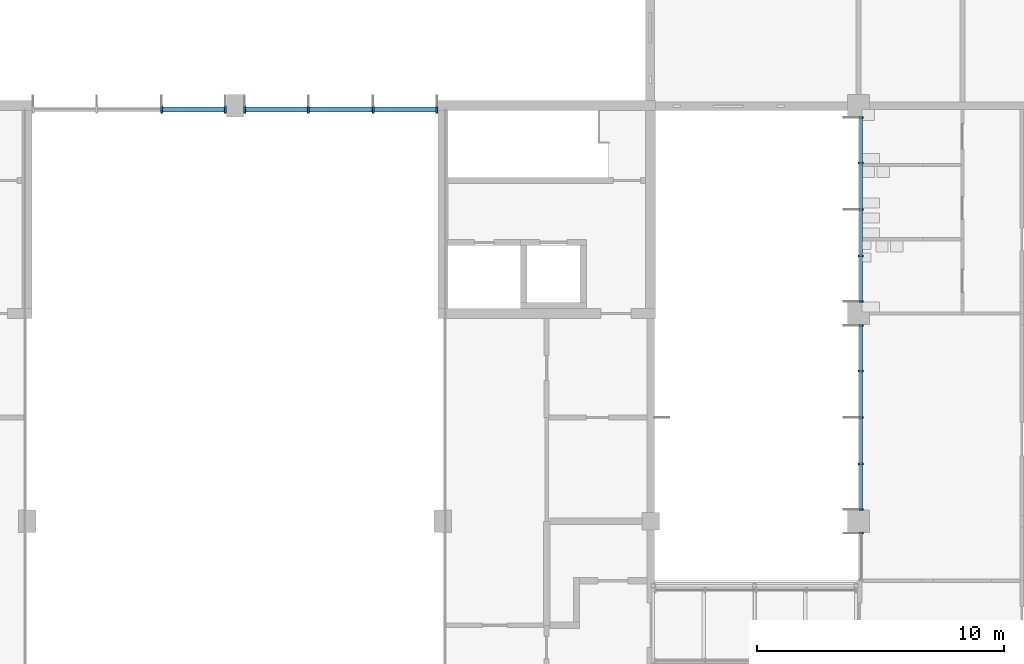
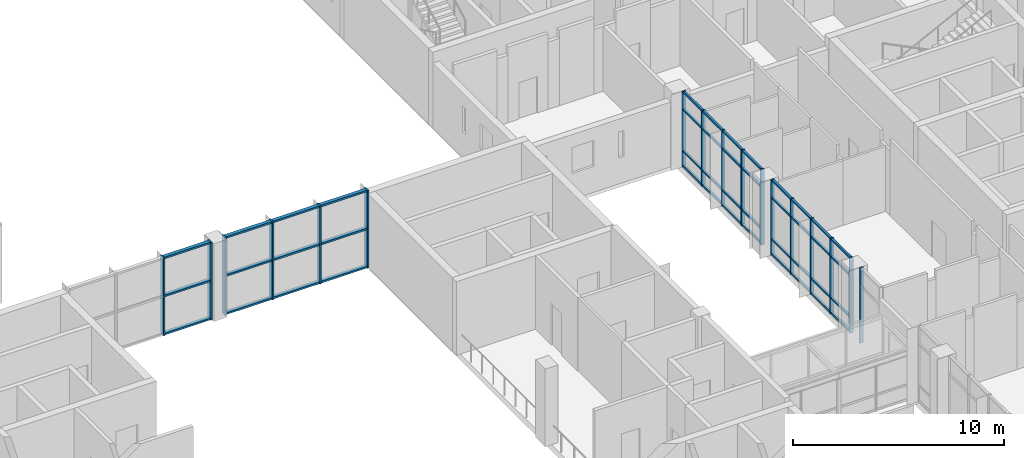
# One storey, part 19 of 70: 61 members, 5 elements without a shape of their own.
"""IFC4 building model written with IfcOpenShell, lengths in metres."""

from ifc_helpers import new_model, si_unit, direction, frame, origin, origin_2d, place, context, subcontext, project, spatial, rectangle, extrude, material, material_profile, profile_set, type_object, element, aggregate, save


model = new_model("IFC4")

# Units and contexts
model_context = context("Model", 3, precision=1e-05, world=origin(), true_north=direction((0.0, 1.0)))
body_context = subcontext(model_context, "Body", "Model", "MODEL_VIEW")
ifc_project = project(units=[si_unit("LENGTHUNIT", "METRE"), si_unit("AREAUNIT", "SQUARE_METRE"), si_unit("VOLUMEUNIT", "CUBIC_METRE"), si_unit("PLANEANGLEUNIT", "RADIAN"), si_unit("MASSUNIT", "GRAM", prefix="KILO")], contexts=[model_context])

# Site, building, storey
site_placement = place(None, origin())
site = spatial("IfcSite", under=ifc_project, at=site_placement, CompositionType="ELEMENT")
building_placement = place(site_placement, origin())
building = spatial("IfcBuilding", under=site, at=building_placement, Name="Hlaing Beacon Police Headquarters", CompositionType="ELEMENT")
storey_placement = place(building_placement, frame((0.0, 0.0, 5.39990234375)))
storey = spatial("IfcBuildingStorey", under=building, at=storey_placement, Name="L01", CompositionType="ELEMENT", Elevation=5.39990234375)

# Curtain wall, members
ifc_material_1 = material(Name="Aluminium frame with solar control glazing", Category="aluminium")
curtain_wall_type_1 = type_object("IfcCurtainWallType", Name="Unitised curtain wall 7.50 x 4.37", PredefinedType="NOTDEFINED", material=ifc_material_1)
curtain_wall_1_placement = place(storey_placement, origin())
curtain_wall_1 = element("IfcCurtainWall", 1, at=curtain_wall_1_placement, inside=storey, type_object=curtain_wall_type_1, Name="ENV-CW-L01-W023", PredefinedType="NOTDEFINED")
ifc_material_2 = material(Name="Aluminium", Category="aluminium")
ifc_material_profile_1 = material_profile(ifc_material_2, rectangle(XDim=0.199951171875, YDim=0.06005859375, at=origin_2d()), Name="Mullion 60x200")
ifc_profile_set_1 = profile_set([ifc_material_profile_1], Name="Aluminium")
member_type_1 = type_object("IfcMemberType", Name="Mullion 60x200", PredefinedType="MULLION", material=ifc_profile_set_1)
member_1_placement = place(storey_placement, frame((100.89990234375, 66.719970703125, 0.0), z_axis=(0.0, 0.0, 1.0), x_axis=(1.0, 0.0, 0.0)))
member_1 = element("IfcMember", 2, at=member_1_placement, type_object=member_type_1, Name="CW-L01-W023 mullion 1", PredefinedType="MULLION", context=body_context, shape_type="SweptSolid", body=[
    extrude(rectangle(XDim=0.199951171875, YDim=0.06005859375, at=origin_2d()), origin(), (0.0, 0.0, 1.0), 4.3701171875),
])
member_2_placement = place(storey_placement, frame((100.89990234375, 64.875, 0.0), z_axis=(0.0, 0.0, 1.0), x_axis=(1.0, 0.0, 0.0)))
member_2 = element("IfcMember", 3, at=member_2_placement, type_object=member_type_1, Name="CW-L01-W023 mullion 2", PredefinedType="MULLION", context=body_context, shape_type="SweptSolid", body=[
    extrude(rectangle(XDim=0.199951171875, YDim=0.06005859375, at=origin_2d()), origin(), (0.0, 0.0, 1.0), 4.3701171875),
])
member_3_placement = place(storey_placement, frame((100.89990234375, 63.0, 0.0), z_axis=(0.0, 0.0, 1.0), x_axis=(1.0, 0.0, 0.0)))
member_3 = element("IfcMember", 4, at=member_3_placement, type_object=member_type_1, Name="CW-L01-W023 mullion 3", PredefinedType="MULLION", context=body_context, shape_type="SweptSolid", body=[
    extrude(rectangle(XDim=0.199951171875, YDim=0.06005859375, at=origin_2d()), origin(), (0.0, 0.0, 1.0), 4.3701171875),
])
member_4_placement = place(storey_placement, frame((100.89990234375, 61.125, 0.0), z_axis=(0.0, 0.0, 1.0), x_axis=(1.0, 0.0, 0.0)))
member_4 = element("IfcMember", 5, at=member_4_placement, type_object=member_type_1, Name="CW-L01-W023 mullion 4", PredefinedType="MULLION", context=body_context, shape_type="SweptSolid", body=[
    extrude(rectangle(XDim=0.199951171875, YDim=0.06005859375, at=origin_2d()), origin(), (0.0, 0.0, 1.0), 4.3701171875),
])
member_5_placement = place(storey_placement, frame((100.89990234375, 59.280029296875, 0.0), z_axis=(0.0, 0.0, 1.0), x_axis=(1.0, 0.0, 0.0)))
member_5 = element("IfcMember", 6, at=member_5_placement, type_object=member_type_1, Name="CW-L01-W023 mullion 5", PredefinedType="MULLION", context=body_context, shape_type="SweptSolid", body=[
    extrude(rectangle(XDim=0.199951171875, YDim=0.06005859375, at=origin_2d()), origin(), (0.0, 0.0, 1.0), 4.3701171875),
])

curtain_wall_2_placement = place(storey_placement, origin())
curtain_wall_2 = element("IfcCurtainWall", 7, at=curtain_wall_2_placement, inside=storey, type_object=curtain_wall_type_1, Name="ENV-CW-L01-W024", PredefinedType="NOTDEFINED")
member_6_placement = place(storey_placement, frame((100.89990234375, 58.320068359375, 0.0), z_axis=(0.0, 0.0, 1.0), x_axis=(1.0, 0.0, 0.0)))
member_6 = element("IfcMember", 8, at=member_6_placement, type_object=member_type_1, Name="CW-L01-W024 mullion 1", PredefinedType="MULLION", context=body_context, shape_type="SweptSolid", body=[
    extrude(rectangle(XDim=0.199951171875, YDim=0.06005859375, at=origin_2d()), origin(), (0.0, 0.0, 1.0), 4.3701171875),
])
member_7_placement = place(storey_placement, frame((100.89990234375, 56.47509765625, 0.0), z_axis=(0.0, 0.0, 1.0), x_axis=(1.0, 0.0, 0.0)))
member_7 = element("IfcMember", 9, at=member_7_placement, type_object=member_type_1, Name="CW-L01-W024 mullion 2", PredefinedType="MULLION", context=body_context, shape_type="SweptSolid", body=[
    extrude(rectangle(XDim=0.199951171875, YDim=0.06005859375, at=origin_2d()), origin(), (0.0, 0.0, 1.0), 4.3701171875),
])
member_8_placement = place(storey_placement, frame((100.89990234375, 54.60009765625, 0.0), z_axis=(0.0, 0.0, 1.0), x_axis=(1.0, 0.0, 0.0)))
member_8 = element("IfcMember", 10, at=member_8_placement, type_object=member_type_1, Name="CW-L01-W024 mullion 3", PredefinedType="MULLION", context=body_context, shape_type="SweptSolid", body=[
    extrude(rectangle(XDim=0.199951171875, YDim=0.06005859375, at=origin_2d()), origin(), (0.0, 0.0, 1.0), 4.3701171875),
])
member_9_placement = place(storey_placement, frame((100.89990234375, 52.72509765625, 0.0), z_axis=(0.0, 0.0, 1.0), x_axis=(1.0, 0.0, 0.0)))
member_9 = element("IfcMember", 11, at=member_9_placement, type_object=member_type_1, Name="CW-L01-W024 mullion 4", PredefinedType="MULLION", context=body_context, shape_type="SweptSolid", body=[
    extrude(rectangle(XDim=0.199951171875, YDim=0.06005859375, at=origin_2d()), origin(), (0.0, 0.0, 1.0), 4.3701171875),
])
member_10_placement = place(storey_placement, frame((100.89990234375, 50.8798828125, 0.0), z_axis=(0.0, 0.0, 1.0), x_axis=(1.0, 0.0, 0.0)))
member_10 = element("IfcMember", 12, at=member_10_placement, type_object=member_type_1, Name="CW-L01-W024 mullion 5", PredefinedType="MULLION", context=body_context, shape_type="SweptSolid", body=[
    extrude(rectangle(XDim=0.199951171875, YDim=0.06005859375, at=origin_2d()), origin(), (0.0, 0.0, 1.0), 4.3701171875),
])

# Curtain wall, member
ifc_material_3 = material(Name="Aluminium frame with solar control glazing", Category="aluminium")
curtain_wall_type_2 = type_object("IfcCurtainWallType", Name="Unitised curtain wall 1.95 x 4.37", PredefinedType="NOTDEFINED", material=ifc_material_3)
curtain_wall_3_placement = place(storey_placement, origin())
curtain_wall_3 = element("IfcCurtainWall", 13, at=curtain_wall_3_placement, inside=storey, type_object=curtain_wall_type_2, Name="ENV-CW-L01-W025", PredefinedType="NOTDEFINED")
member_11_placement = place(storey_placement, frame((100.89990234375, 49.919921875, 0.0), z_axis=(0.0, 0.0, 1.0), x_axis=(1.0, 0.0, 0.0)))
member_11 = element("IfcMember", 14, at=member_11_placement, type_object=member_type_1, Name="CW-L01-W025 mullion 1", PredefinedType="MULLION", context=body_context, shape_type="SweptSolid", body=[
    extrude(rectangle(XDim=0.199951171875, YDim=0.06005859375, at=origin_2d()), origin(), (0.0, 0.0, 1.0), 4.3701171875),
])
aggregate(curtain_wall_3, [member_11])

# Curtain wall, members
ifc_material_4 = material(Name="Aluminium frame with solar control glazing", Category="aluminium")
curtain_wall_type_3 = type_object("IfcCurtainWallType", Name="Structural glazed gable wall 7.85 x 4.50", PredefinedType="NOTDEFINED", material=ifc_material_4)
curtain_wall_4_placement = place(storey_placement, origin())
curtain_wall_4 = element("IfcCurtainWall", 15, at=curtain_wall_4_placement, inside=storey, type_object=curtain_wall_type_3, Name="ENV-CW-L01-N007", PredefinedType="NOTDEFINED")
ifc_material_5 = material(Name="Aluminium", Category="aluminium")
ifc_material_profile_2 = material_profile(ifc_material_5, rectangle(XDim=0.300048828125, YDim=0.080078125, at=origin_2d()), Name="Mullion 80x300")
ifc_profile_set_2 = profile_set([ifc_material_profile_2], Name="Aluminium")
member_type_2 = type_object("IfcMemberType", Name="Mullion 80x300", PredefinedType="MULLION", material=ifc_profile_set_2)
member_12_placement = place(storey_placement, frame((83.760009765625, 67.050048828125, 0.0), z_axis=(0.0, 0.0, 1.0), x_axis=(0.0, -1.0, 0.0)))
member_12 = element("IfcMember", 16, at=member_12_placement, type_object=member_type_2, Name="CW-L01-N007 mullion 1", PredefinedType="MULLION", context=body_context, shape_type="SweptSolid", body=[
    extrude(rectangle(XDim=0.300048828125, YDim=0.080078125, at=origin_2d()), origin(), (0.0, 0.0, 1.0), 4.5),
])
member_13_placement = place(storey_placement, frame((81.183349609375, 67.050048828125, 0.0), z_axis=(0.0, 0.0, 1.0), x_axis=(0.0, -1.0, 0.0)))
member_13 = element("IfcMember", 17, at=member_13_placement, type_object=member_type_2, Name="CW-L01-N007 mullion 2", PredefinedType="MULLION", context=body_context, shape_type="SweptSolid", body=[
    extrude(rectangle(XDim=0.300048828125, YDim=0.080078125, at=origin_2d()), origin(), (0.0, 0.0, 1.0), 4.5),
])
member_14_placement = place(storey_placement, frame((78.566650390625, 67.050048828125, 0.0), z_axis=(0.0, 0.0, 1.0), x_axis=(0.0, -1.0, 0.0)))
member_14 = element("IfcMember", 18, at=member_14_placement, type_object=member_type_2, Name="CW-L01-N007 mullion 3", PredefinedType="MULLION", context=body_context, shape_type="SweptSolid", body=[
    extrude(rectangle(XDim=0.300048828125, YDim=0.080078125, at=origin_2d()), origin(), (0.0, 0.0, 1.0), 4.5),
])
member_15_placement = place(storey_placement, frame((75.989990234375, 67.050048828125, 0.0), z_axis=(0.0, 0.0, 1.0), x_axis=(0.0, -1.0, 0.0)))
member_15 = element("IfcMember", 19, at=member_15_placement, type_object=member_type_2, Name="CW-L01-N007 mullion 4", PredefinedType="MULLION", context=body_context, shape_type="SweptSolid", body=[
    extrude(rectangle(XDim=0.300048828125, YDim=0.080078125, at=origin_2d()), origin(), (0.0, 0.0, 1.0), 4.5),
])

curtain_wall_5_placement = place(storey_placement, origin())
curtain_wall_5 = element("IfcCurtainWall", 20, at=curtain_wall_5_placement, inside=storey, type_object=curtain_wall_type_3, Name="ENV-CW-L01-N008", PredefinedType="NOTDEFINED")
member_16_placement = place(storey_placement, frame((75.2099609375, 67.050048828125, 0.0), z_axis=(0.0, 0.0, 1.0), x_axis=(0.0, -1.0, 0.0)))
member_16 = element("IfcMember", 21, at=member_16_placement, type_object=member_type_2, Name="CW-L01-N008 mullion 1", PredefinedType="MULLION", context=body_context, shape_type="SweptSolid", body=[
    extrude(rectangle(XDim=0.300048828125, YDim=0.080078125, at=origin_2d()), origin(), (0.0, 0.0, 1.0), 4.5),
])
member_17_placement = place(storey_placement, frame((72.63330078125, 67.050048828125, 0.0), z_axis=(0.0, 0.0, 1.0), x_axis=(0.0, -1.0, 0.0)))
member_17 = element("IfcMember", 22, at=member_17_placement, type_object=member_type_2, Name="CW-L01-N008 mullion 2", PredefinedType="MULLION", context=body_context, shape_type="SweptSolid", body=[
    extrude(rectangle(XDim=0.300048828125, YDim=0.080078125, at=origin_2d()), origin(), (0.0, 0.0, 1.0), 4.5),
])

# Member
ifc_material_6 = material(Name="Aluminium", Category="aluminium")
ifc_material_profile_3 = material_profile(ifc_material_6, rectangle(XDim=0.1201171875, YDim=0.10009765625, at=origin_2d()), Name="Transom 120x100")
ifc_profile_set_3 = profile_set([ifc_material_profile_3], Name="Aluminium")
member_type_3 = type_object("IfcMemberType", Name="Transom 120x100", PredefinedType="USERDEFINED", material=ifc_profile_set_3)
member_18_placement = place(storey_placement, frame((100.89990234375, 66.68994140625, 0.050048828125), z_axis=(0.0, -1.0, 0.0), x_axis=(1.0, 0.0, 0.0)))
member_18 = element("IfcMember", 23, at=member_18_placement, type_object=member_type_3, Name="CW-L01-W023 transom 1.1", ObjectType="TRANSOM", PredefinedType="USERDEFINED", context=body_context, shape_type="SweptSolid", body=[
    extrude(rectangle(XDim=0.1201171875, YDim=0.10009765625, at=origin_2d()), origin(), (0.0, 0.0, 1.0), 1.784912109375),
])

member_19_placement = place(storey_placement, frame((100.89990234375, 66.68994140625, 0.900146484375), z_axis=(0.0, -1.0, 0.0), x_axis=(1.0, 0.0, 0.0)))
member_19 = element("IfcMember", 24, at=member_19_placement, type_object=member_type_3, Name="CW-L01-W023 transom 1.2", ObjectType="TRANSOM", PredefinedType="USERDEFINED", context=body_context, shape_type="SweptSolid", body=[
    extrude(rectangle(XDim=0.1201171875, YDim=0.10009765625, at=origin_2d()), origin(), (0.0, 0.0, 1.0), 1.784912109375),
])

member_20_placement = place(storey_placement, frame((100.89990234375, 66.68994140625, 3.300048828125), z_axis=(0.0, -1.0, 0.0), x_axis=(1.0, 0.0, 0.0)))
member_20 = element("IfcMember", 25, at=member_20_placement, type_object=member_type_3, Name="CW-L01-W023 transom 1.3", ObjectType="TRANSOM", PredefinedType="USERDEFINED", context=body_context, shape_type="SweptSolid", body=[
    extrude(rectangle(XDim=0.1201171875, YDim=0.10009765625, at=origin_2d()), origin(), (0.0, 0.0, 1.0), 1.784912109375),
])

member_21_placement = place(storey_placement, frame((100.89990234375, 66.68994140625, 4.320068359375), z_axis=(0.0, -1.0, 0.0), x_axis=(1.0, 0.0, 0.0)))
member_21 = element("IfcMember", 26, at=member_21_placement, type_object=member_type_3, Name="CW-L01-W023 transom 1.4", ObjectType="TRANSOM", PredefinedType="USERDEFINED", context=body_context, shape_type="SweptSolid", body=[
    extrude(rectangle(XDim=0.1201171875, YDim=0.10009765625, at=origin_2d()), origin(), (0.0, 0.0, 1.0), 1.784912109375),
])

member_22_placement = place(storey_placement, frame((100.89990234375, 64.844970703125, 0.050048828125), z_axis=(0.0, -1.0, 0.0), x_axis=(1.0, 0.0, 0.0)))
member_22 = element("IfcMember", 27, at=member_22_placement, type_object=member_type_3, Name="CW-L01-W023 transom 2.1", ObjectType="TRANSOM", PredefinedType="USERDEFINED", context=body_context, shape_type="SweptSolid", body=[
    extrude(rectangle(XDim=0.1201171875, YDim=0.10009765625, at=origin_2d()), origin(), (0.0, 0.0, 1.0), 1.81494140625),
])

member_23_placement = place(storey_placement, frame((100.89990234375, 64.844970703125, 0.900146484375), z_axis=(0.0, -1.0, 0.0), x_axis=(1.0, 0.0, 0.0)))
member_23 = element("IfcMember", 28, at=member_23_placement, type_object=member_type_3, Name="CW-L01-W023 transom 2.2", ObjectType="TRANSOM", PredefinedType="USERDEFINED", context=body_context, shape_type="SweptSolid", body=[
    extrude(rectangle(XDim=0.1201171875, YDim=0.10009765625, at=origin_2d()), origin(), (0.0, 0.0, 1.0), 1.81494140625),
])

member_24_placement = place(storey_placement, frame((100.89990234375, 64.844970703125, 3.300048828125), z_axis=(0.0, -1.0, 0.0), x_axis=(1.0, 0.0, 0.0)))
member_24 = element("IfcMember", 29, at=member_24_placement, type_object=member_type_3, Name="CW-L01-W023 transom 2.3", ObjectType="TRANSOM", PredefinedType="USERDEFINED", context=body_context, shape_type="SweptSolid", body=[
    extrude(rectangle(XDim=0.1201171875, YDim=0.10009765625, at=origin_2d()), origin(), (0.0, 0.0, 1.0), 1.81494140625),
])

member_25_placement = place(storey_placement, frame((100.89990234375, 64.844970703125, 4.320068359375), z_axis=(0.0, -1.0, 0.0), x_axis=(1.0, 0.0, 0.0)))
member_25 = element("IfcMember", 30, at=member_25_placement, type_object=member_type_3, Name="CW-L01-W023 transom 2.4", ObjectType="TRANSOM", PredefinedType="USERDEFINED", context=body_context, shape_type="SweptSolid", body=[
    extrude(rectangle(XDim=0.1201171875, YDim=0.10009765625, at=origin_2d()), origin(), (0.0, 0.0, 1.0), 1.81494140625),
])

member_26_placement = place(storey_placement, frame((100.89990234375, 62.969970703125, 0.050048828125), z_axis=(0.0, -1.0, 0.0), x_axis=(1.0, 0.0, 0.0)))
member_26 = element("IfcMember", 31, at=member_26_placement, type_object=member_type_3, Name="CW-L01-W023 transom 3.1", ObjectType="TRANSOM", PredefinedType="USERDEFINED", context=body_context, shape_type="SweptSolid", body=[
    extrude(rectangle(XDim=0.1201171875, YDim=0.10009765625, at=origin_2d()), origin(), (0.0, 0.0, 1.0), 1.81494140625),
])

member_27_placement = place(storey_placement, frame((100.89990234375, 62.969970703125, 0.900146484375), z_axis=(0.0, -1.0, 0.0), x_axis=(1.0, 0.0, 0.0)))
member_27 = element("IfcMember", 32, at=member_27_placement, type_object=member_type_3, Name="CW-L01-W023 transom 3.2", ObjectType="TRANSOM", PredefinedType="USERDEFINED", context=body_context, shape_type="SweptSolid", body=[
    extrude(rectangle(XDim=0.1201171875, YDim=0.10009765625, at=origin_2d()), origin(), (0.0, 0.0, 1.0), 1.81494140625),
])

member_28_placement = place(storey_placement, frame((100.89990234375, 62.969970703125, 3.300048828125), z_axis=(0.0, -1.0, 0.0), x_axis=(1.0, 0.0, 0.0)))
member_28 = element("IfcMember", 33, at=member_28_placement, type_object=member_type_3, Name="CW-L01-W023 transom 3.3", ObjectType="TRANSOM", PredefinedType="USERDEFINED", context=body_context, shape_type="SweptSolid", body=[
    extrude(rectangle(XDim=0.1201171875, YDim=0.10009765625, at=origin_2d()), origin(), (0.0, 0.0, 1.0), 1.81494140625),
])

member_29_placement = place(storey_placement, frame((100.89990234375, 62.969970703125, 4.320068359375), z_axis=(0.0, -1.0, 0.0), x_axis=(1.0, 0.0, 0.0)))
member_29 = element("IfcMember", 34, at=member_29_placement, type_object=member_type_3, Name="CW-L01-W023 transom 3.4", ObjectType="TRANSOM", PredefinedType="USERDEFINED", context=body_context, shape_type="SweptSolid", body=[
    extrude(rectangle(XDim=0.1201171875, YDim=0.10009765625, at=origin_2d()), origin(), (0.0, 0.0, 1.0), 1.81494140625),
])

member_30_placement = place(storey_placement, frame((100.89990234375, 61.094970703125, 0.050048828125), z_axis=(0.0, -1.0, 0.0), x_axis=(1.0, 0.0, 0.0)))
member_30 = element("IfcMember", 35, at=member_30_placement, type_object=member_type_3, Name="CW-L01-W023 transom 4.1", ObjectType="TRANSOM", PredefinedType="USERDEFINED", context=body_context, shape_type="SweptSolid", body=[
    extrude(rectangle(XDim=0.1201171875, YDim=0.10009765625, at=origin_2d()), origin(), (0.0, 0.0, 1.0), 1.784912109375),
])

member_31_placement = place(storey_placement, frame((100.89990234375, 61.094970703125, 0.900146484375), z_axis=(0.0, -1.0, 0.0), x_axis=(1.0, 0.0, 0.0)))
member_31 = element("IfcMember", 36, at=member_31_placement, type_object=member_type_3, Name="CW-L01-W023 transom 4.2", ObjectType="TRANSOM", PredefinedType="USERDEFINED", context=body_context, shape_type="SweptSolid", body=[
    extrude(rectangle(XDim=0.1201171875, YDim=0.10009765625, at=origin_2d()), origin(), (0.0, 0.0, 1.0), 1.784912109375),
])

member_32_placement = place(storey_placement, frame((100.89990234375, 61.094970703125, 3.300048828125), z_axis=(0.0, -1.0, 0.0), x_axis=(1.0, 0.0, 0.0)))
member_32 = element("IfcMember", 37, at=member_32_placement, type_object=member_type_3, Name="CW-L01-W023 transom 4.3", ObjectType="TRANSOM", PredefinedType="USERDEFINED", context=body_context, shape_type="SweptSolid", body=[
    extrude(rectangle(XDim=0.1201171875, YDim=0.10009765625, at=origin_2d()), origin(), (0.0, 0.0, 1.0), 1.784912109375),
])

member_33_placement = place(storey_placement, frame((100.89990234375, 61.094970703125, 4.320068359375), z_axis=(0.0, -1.0, 0.0), x_axis=(1.0, 0.0, 0.0)))
member_33 = element("IfcMember", 38, at=member_33_placement, type_object=member_type_3, Name="CW-L01-W023 transom 4.4", ObjectType="TRANSOM", PredefinedType="USERDEFINED", context=body_context, shape_type="SweptSolid", body=[
    extrude(rectangle(XDim=0.1201171875, YDim=0.10009765625, at=origin_2d()), origin(), (0.0, 0.0, 1.0), 1.784912109375),
])

aggregate(curtain_wall_1, [member_1, member_2, member_3, member_4, member_5, member_18, member_19, member_20, member_21, member_22, member_23, member_24, member_25, member_26, member_27, member_28, member_29, member_30, member_31, member_32, member_33])

member_34_placement = place(storey_placement, frame((100.89990234375, 58.2900390625, 0.050048828125), z_axis=(0.0, -1.0, 0.0), x_axis=(1.0, 0.0, 0.0)))
member_34 = element("IfcMember", 39, at=member_34_placement, type_object=member_type_3, Name="CW-L01-W024 transom 1.1", ObjectType="TRANSOM", PredefinedType="USERDEFINED", context=body_context, shape_type="SweptSolid", body=[
    extrude(rectangle(XDim=0.1201171875, YDim=0.10009765625, at=origin_2d()), origin(), (0.0, 0.0, 1.0), 1.78515625),
])

member_35_placement = place(storey_placement, frame((100.89990234375, 58.2900390625, 0.900146484375), z_axis=(0.0, -1.0, 0.0), x_axis=(1.0, 0.0, 0.0)))
member_35 = element("IfcMember", 40, at=member_35_placement, type_object=member_type_3, Name="CW-L01-W024 transom 1.2", ObjectType="TRANSOM", PredefinedType="USERDEFINED", context=body_context, shape_type="SweptSolid", body=[
    extrude(rectangle(XDim=0.1201171875, YDim=0.10009765625, at=origin_2d()), origin(), (0.0, 0.0, 1.0), 1.78515625),
])

member_36_placement = place(storey_placement, frame((100.89990234375, 58.2900390625, 3.300048828125), z_axis=(0.0, -1.0, 0.0), x_axis=(1.0, 0.0, 0.0)))
member_36 = element("IfcMember", 41, at=member_36_placement, type_object=member_type_3, Name="CW-L01-W024 transom 1.3", ObjectType="TRANSOM", PredefinedType="USERDEFINED", context=body_context, shape_type="SweptSolid", body=[
    extrude(rectangle(XDim=0.1201171875, YDim=0.10009765625, at=origin_2d()), origin(), (0.0, 0.0, 1.0), 1.78515625),
])

member_37_placement = place(storey_placement, frame((100.89990234375, 58.2900390625, 4.320068359375), z_axis=(0.0, -1.0, 0.0), x_axis=(1.0, 0.0, 0.0)))
member_37 = element("IfcMember", 42, at=member_37_placement, type_object=member_type_3, Name="CW-L01-W024 transom 1.4", ObjectType="TRANSOM", PredefinedType="USERDEFINED", context=body_context, shape_type="SweptSolid", body=[
    extrude(rectangle(XDim=0.1201171875, YDim=0.10009765625, at=origin_2d()), origin(), (0.0, 0.0, 1.0), 1.78515625),
])

member_38_placement = place(storey_placement, frame((100.89990234375, 56.445068359375, 0.050048828125), z_axis=(0.0, -1.0, 0.0), x_axis=(1.0, 0.0, 0.0)))
member_38 = element("IfcMember", 43, at=member_38_placement, type_object=member_type_3, Name="CW-L01-W024 transom 2.1", ObjectType="TRANSOM", PredefinedType="USERDEFINED", context=body_context, shape_type="SweptSolid", body=[
    extrude(rectangle(XDim=0.1201171875, YDim=0.10009765625, at=origin_2d()), origin(), (0.0, 0.0, 1.0), 1.815185546875),
])

member_39_placement = place(storey_placement, frame((100.89990234375, 56.445068359375, 0.900146484375), z_axis=(0.0, -1.0, 0.0), x_axis=(1.0, 0.0, 0.0)))
member_39 = element("IfcMember", 44, at=member_39_placement, type_object=member_type_3, Name="CW-L01-W024 transom 2.2", ObjectType="TRANSOM", PredefinedType="USERDEFINED", context=body_context, shape_type="SweptSolid", body=[
    extrude(rectangle(XDim=0.1201171875, YDim=0.10009765625, at=origin_2d()), origin(), (0.0, 0.0, 1.0), 1.815185546875),
])

member_40_placement = place(storey_placement, frame((100.89990234375, 56.445068359375, 3.300048828125), z_axis=(0.0, -1.0, 0.0), x_axis=(1.0, 0.0, 0.0)))
member_40 = element("IfcMember", 45, at=member_40_placement, type_object=member_type_3, Name="CW-L01-W024 transom 2.3", ObjectType="TRANSOM", PredefinedType="USERDEFINED", context=body_context, shape_type="SweptSolid", body=[
    extrude(rectangle(XDim=0.1201171875, YDim=0.10009765625, at=origin_2d()), origin(), (0.0, 0.0, 1.0), 1.815185546875),
])

member_41_placement = place(storey_placement, frame((100.89990234375, 56.445068359375, 4.320068359375), z_axis=(0.0, -1.0, 0.0), x_axis=(1.0, 0.0, 0.0)))
member_41 = element("IfcMember", 46, at=member_41_placement, type_object=member_type_3, Name="CW-L01-W024 transom 2.4", ObjectType="TRANSOM", PredefinedType="USERDEFINED", context=body_context, shape_type="SweptSolid", body=[
    extrude(rectangle(XDim=0.1201171875, YDim=0.10009765625, at=origin_2d()), origin(), (0.0, 0.0, 1.0), 1.815185546875),
])

member_42_placement = place(storey_placement, frame((100.89990234375, 54.570068359375, 0.050048828125), z_axis=(0.0, -1.0, 0.0), x_axis=(1.0, 0.0, 0.0)))
member_42 = element("IfcMember", 47, at=member_42_placement, type_object=member_type_3, Name="CW-L01-W024 transom 3.1", ObjectType="TRANSOM", PredefinedType="USERDEFINED", context=body_context, shape_type="SweptSolid", body=[
    extrude(rectangle(XDim=0.1201171875, YDim=0.10009765625, at=origin_2d()), origin(), (0.0, 0.0, 1.0), 1.815185546875),
])

member_43_placement = place(storey_placement, frame((100.89990234375, 54.570068359375, 0.900146484375), z_axis=(0.0, -1.0, 0.0), x_axis=(1.0, 0.0, 0.0)))
member_43 = element("IfcMember", 48, at=member_43_placement, type_object=member_type_3, Name="CW-L01-W024 transom 3.2", ObjectType="TRANSOM", PredefinedType="USERDEFINED", context=body_context, shape_type="SweptSolid", body=[
    extrude(rectangle(XDim=0.1201171875, YDim=0.10009765625, at=origin_2d()), origin(), (0.0, 0.0, 1.0), 1.815185546875),
])

member_44_placement = place(storey_placement, frame((100.89990234375, 54.570068359375, 3.300048828125), z_axis=(0.0, -1.0, 0.0), x_axis=(1.0, 0.0, 0.0)))
member_44 = element("IfcMember", 49, at=member_44_placement, type_object=member_type_3, Name="CW-L01-W024 transom 3.3", ObjectType="TRANSOM", PredefinedType="USERDEFINED", context=body_context, shape_type="SweptSolid", body=[
    extrude(rectangle(XDim=0.1201171875, YDim=0.10009765625, at=origin_2d()), origin(), (0.0, 0.0, 1.0), 1.815185546875),
])

member_45_placement = place(storey_placement, frame((100.89990234375, 54.570068359375, 4.320068359375), z_axis=(0.0, -1.0, 0.0), x_axis=(1.0, 0.0, 0.0)))
member_45 = element("IfcMember", 50, at=member_45_placement, type_object=member_type_3, Name="CW-L01-W024 transom 3.4", ObjectType="TRANSOM", PredefinedType="USERDEFINED", context=body_context, shape_type="SweptSolid", body=[
    extrude(rectangle(XDim=0.1201171875, YDim=0.10009765625, at=origin_2d()), origin(), (0.0, 0.0, 1.0), 1.815185546875),
])

member_46_placement = place(storey_placement, frame((100.89990234375, 52.695068359375, 0.050048828125), z_axis=(0.0, -1.0, 0.0), x_axis=(1.0, 0.0, 0.0)))
member_46 = element("IfcMember", 51, at=member_46_placement, type_object=member_type_3, Name="CW-L01-W024 transom 4.1", ObjectType="TRANSOM", PredefinedType="USERDEFINED", context=body_context, shape_type="SweptSolid", body=[
    extrude(rectangle(XDim=0.1201171875, YDim=0.10009765625, at=origin_2d()), origin(), (0.0, 0.0, 1.0), 1.78515625),
])

member_47_placement = place(storey_placement, frame((100.89990234375, 52.695068359375, 0.900146484375), z_axis=(0.0, -1.0, 0.0), x_axis=(1.0, 0.0, 0.0)))
member_47 = element("IfcMember", 52, at=member_47_placement, type_object=member_type_3, Name="CW-L01-W024 transom 4.2", ObjectType="TRANSOM", PredefinedType="USERDEFINED", context=body_context, shape_type="SweptSolid", body=[
    extrude(rectangle(XDim=0.1201171875, YDim=0.10009765625, at=origin_2d()), origin(), (0.0, 0.0, 1.0), 1.78515625),
])

member_48_placement = place(storey_placement, frame((100.89990234375, 52.695068359375, 3.300048828125), z_axis=(0.0, -1.0, 0.0), x_axis=(1.0, 0.0, 0.0)))
member_48 = element("IfcMember", 53, at=member_48_placement, type_object=member_type_3, Name="CW-L01-W024 transom 4.3", ObjectType="TRANSOM", PredefinedType="USERDEFINED", context=body_context, shape_type="SweptSolid", body=[
    extrude(rectangle(XDim=0.1201171875, YDim=0.10009765625, at=origin_2d()), origin(), (0.0, 0.0, 1.0), 1.78515625),
])

member_49_placement = place(storey_placement, frame((100.89990234375, 52.695068359375, 4.320068359375), z_axis=(0.0, -1.0, 0.0), x_axis=(1.0, 0.0, 0.0)))
member_49 = element("IfcMember", 54, at=member_49_placement, type_object=member_type_3, Name="CW-L01-W024 transom 4.4", ObjectType="TRANSOM", PredefinedType="USERDEFINED", context=body_context, shape_type="SweptSolid", body=[
    extrude(rectangle(XDim=0.1201171875, YDim=0.10009765625, at=origin_2d()), origin(), (0.0, 0.0, 1.0), 1.78515625),
])

aggregate(curtain_wall_2, [member_6, member_7, member_8, member_9, member_10, member_34, member_35, member_36, member_37, member_38, member_39, member_40, member_41, member_42, member_43, member_44, member_45, member_46, member_47, member_48, member_49])

ifc_material_7 = material(Name="Aluminium", Category="aluminium")
ifc_material_profile_4 = material_profile(ifc_material_7, rectangle(XDim=0.199951171875, YDim=0.10009765625, at=origin_2d()), Name="Transom 200x100")
ifc_profile_set_4 = profile_set([ifc_material_profile_4], Name="Aluminium")
member_type_4 = type_object("IfcMemberType", Name="Transom 200x100", PredefinedType="USERDEFINED", material=ifc_profile_set_4)
member_50_placement = place(storey_placement, frame((83.719970703125, 67.050048828125, 0.050048828125), z_axis=(-1.0, 0.0, 0.0), x_axis=(0.0, -1.0, 0.0)))
member_50 = element("IfcMember", 55, at=member_50_placement, type_object=member_type_4, Name="CW-L01-N007 transom 1.1", ObjectType="TRANSOM", PredefinedType="USERDEFINED", context=body_context, shape_type="SweptSolid", body=[
    extrude(rectangle(XDim=0.199951171875, YDim=0.10009765625, at=origin_2d()), origin(), (0.0, 0.0, 1.0), 2.49658203125),
])

member_51_placement = place(storey_placement, frame((83.719970703125, 67.050048828125, 2.25), z_axis=(-1.0, 0.0, 0.0), x_axis=(0.0, -1.0, 0.0)))
member_51 = element("IfcMember", 56, at=member_51_placement, type_object=member_type_4, Name="CW-L01-N007 transom 1.2", ObjectType="TRANSOM", PredefinedType="USERDEFINED", context=body_context, shape_type="SweptSolid", body=[
    extrude(rectangle(XDim=0.199951171875, YDim=0.10009765625, at=origin_2d()), origin(), (0.0, 0.0, 1.0), 2.49658203125),
])

member_52_placement = place(storey_placement, frame((83.719970703125, 67.050048828125, 4.4501953125), z_axis=(-1.0, 0.0, 0.0), x_axis=(0.0, -1.0, 0.0)))
member_52 = element("IfcMember", 57, at=member_52_placement, type_object=member_type_4, Name="CW-L01-N007 transom 1.3", ObjectType="TRANSOM", PredefinedType="USERDEFINED", context=body_context, shape_type="SweptSolid", body=[
    extrude(rectangle(XDim=0.199951171875, YDim=0.10009765625, at=origin_2d()), origin(), (0.0, 0.0, 1.0), 2.49658203125),
])

member_53_placement = place(storey_placement, frame((81.143310546875, 67.050048828125, 0.050048828125), z_axis=(-1.0, 0.0, 0.0), x_axis=(0.0, -1.0, 0.0)))
member_53 = element("IfcMember", 58, at=member_53_placement, type_object=member_type_4, Name="CW-L01-N007 transom 2.1", ObjectType="TRANSOM", PredefinedType="USERDEFINED", context=body_context, shape_type="SweptSolid", body=[
    extrude(rectangle(XDim=0.199951171875, YDim=0.10009765625, at=origin_2d()), origin(), (0.0, 0.0, 1.0), 2.53662109375),
])

member_54_placement = place(storey_placement, frame((81.143310546875, 67.050048828125, 2.25), z_axis=(-1.0, 0.0, 0.0), x_axis=(0.0, -1.0, 0.0)))
member_54 = element("IfcMember", 59, at=member_54_placement, type_object=member_type_4, Name="CW-L01-N007 transom 2.2", ObjectType="TRANSOM", PredefinedType="USERDEFINED", context=body_context, shape_type="SweptSolid", body=[
    extrude(rectangle(XDim=0.199951171875, YDim=0.10009765625, at=origin_2d()), origin(), (0.0, 0.0, 1.0), 2.53662109375),
])

member_55_placement = place(storey_placement, frame((81.143310546875, 67.050048828125, 4.4501953125), z_axis=(-1.0, 0.0, 0.0), x_axis=(0.0, -1.0, 0.0)))
member_55 = element("IfcMember", 60, at=member_55_placement, type_object=member_type_4, Name="CW-L01-N007 transom 2.3", ObjectType="TRANSOM", PredefinedType="USERDEFINED", context=body_context, shape_type="SweptSolid", body=[
    extrude(rectangle(XDim=0.199951171875, YDim=0.10009765625, at=origin_2d()), origin(), (0.0, 0.0, 1.0), 2.53662109375),
])

member_56_placement = place(storey_placement, frame((78.526611328125, 67.050048828125, 0.050048828125), z_axis=(-1.0, 0.0, 0.0), x_axis=(0.0, -1.0, 0.0)))
member_56 = element("IfcMember", 61, at=member_56_placement, type_object=member_type_4, Name="CW-L01-N007 transom 3.1", ObjectType="TRANSOM", PredefinedType="USERDEFINED", context=body_context, shape_type="SweptSolid", body=[
    extrude(rectangle(XDim=0.199951171875, YDim=0.10009765625, at=origin_2d()), origin(), (0.0, 0.0, 1.0), 2.49658203125),
])

member_57_placement = place(storey_placement, frame((78.526611328125, 67.050048828125, 2.25), z_axis=(-1.0, 0.0, 0.0), x_axis=(0.0, -1.0, 0.0)))
member_57 = element("IfcMember", 62, at=member_57_placement, type_object=member_type_4, Name="CW-L01-N007 transom 3.2", ObjectType="TRANSOM", PredefinedType="USERDEFINED", context=body_context, shape_type="SweptSolid", body=[
    extrude(rectangle(XDim=0.199951171875, YDim=0.10009765625, at=origin_2d()), origin(), (0.0, 0.0, 1.0), 2.49658203125),
])

member_58_placement = place(storey_placement, frame((78.526611328125, 67.050048828125, 4.4501953125), z_axis=(-1.0, 0.0, 0.0), x_axis=(0.0, -1.0, 0.0)))
member_58 = element("IfcMember", 63, at=member_58_placement, type_object=member_type_4, Name="CW-L01-N007 transom 3.3", ObjectType="TRANSOM", PredefinedType="USERDEFINED", context=body_context, shape_type="SweptSolid", body=[
    extrude(rectangle(XDim=0.199951171875, YDim=0.10009765625, at=origin_2d()), origin(), (0.0, 0.0, 1.0), 2.49658203125),
])

aggregate(curtain_wall_4, [member_12, member_13, member_14, member_15, member_50, member_51, member_52, member_53, member_54, member_55, member_56, member_57, member_58])

member_59_placement = place(storey_placement, frame((75.169921875, 67.050048828125, 0.050048828125), z_axis=(-1.0, 0.0, 0.0), x_axis=(0.0, -1.0, 0.0)))
member_59 = element("IfcMember", 64, at=member_59_placement, type_object=member_type_4, Name="CW-L01-N008 transom 1.1", ObjectType="TRANSOM", PredefinedType="USERDEFINED", context=body_context, shape_type="SweptSolid", body=[
    extrude(rectangle(XDim=0.199951171875, YDim=0.10009765625, at=origin_2d()), origin(), (0.0, 0.0, 1.0), 2.49658203125),
])

member_60_placement = place(storey_placement, frame((75.169921875, 67.050048828125, 2.25), z_axis=(-1.0, 0.0, 0.0), x_axis=(0.0, -1.0, 0.0)))
member_60 = element("IfcMember", 65, at=member_60_placement, type_object=member_type_4, Name="CW-L01-N008 transom 1.2", ObjectType="TRANSOM", PredefinedType="USERDEFINED", context=body_context, shape_type="SweptSolid", body=[
    extrude(rectangle(XDim=0.199951171875, YDim=0.10009765625, at=origin_2d()), origin(), (0.0, 0.0, 1.0), 2.49658203125),
])

member_61_placement = place(storey_placement, frame((75.169921875, 67.050048828125, 4.4501953125), z_axis=(-1.0, 0.0, 0.0), x_axis=(0.0, -1.0, 0.0)))
member_61 = element("IfcMember", 66, at=member_61_placement, type_object=member_type_4, Name="CW-L01-N008 transom 1.3", ObjectType="TRANSOM", PredefinedType="USERDEFINED", context=body_context, shape_type="SweptSolid", body=[
    extrude(rectangle(XDim=0.199951171875, YDim=0.10009765625, at=origin_2d()), origin(), (0.0, 0.0, 1.0), 2.49658203125),
])

aggregate(curtain_wall_5, [member_16, member_17, member_59, member_60, member_61])

save(model, "model.ifc")
